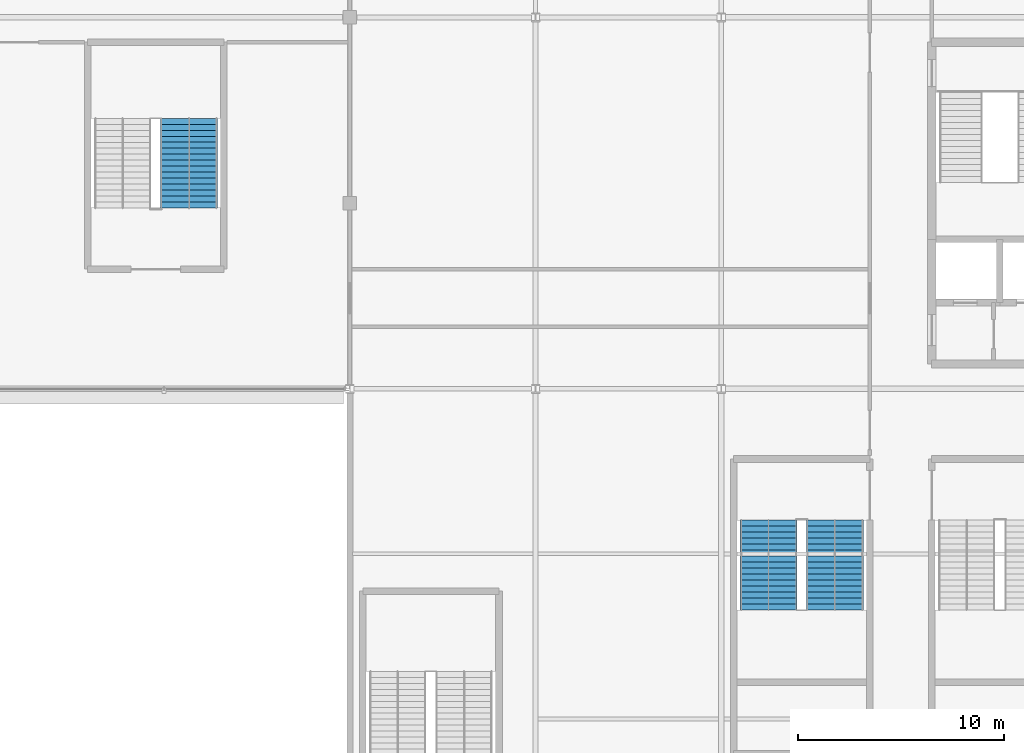
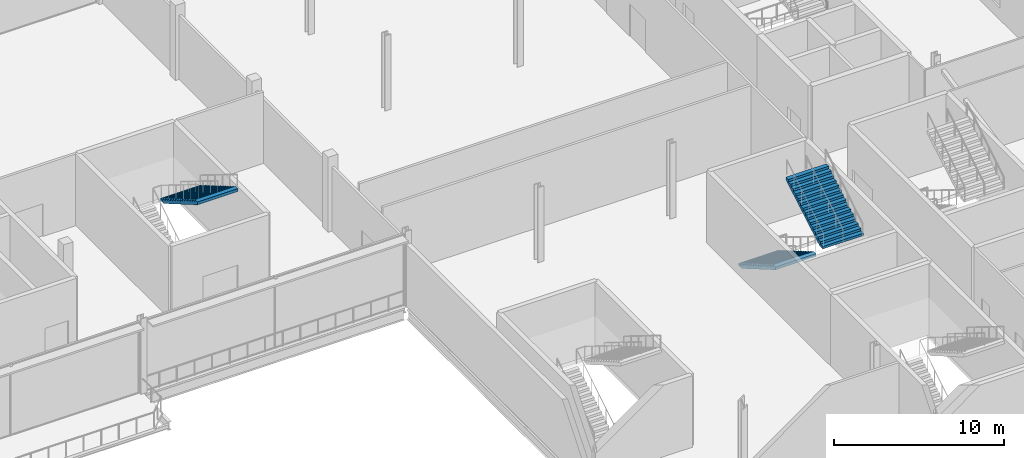
# One storey, part 93 of 113: 3 stair flights, 2 elements without a shape of their own.
"""IFC4 building model written with IfcOpenShell, lengths in metres."""

from ifc_helpers import new_model, si_unit, direction, frame, origin, place, context, subcontext, project, spatial, polygons, material, type_object, element, aggregate, save


model = new_model("IFC4")

# Units and contexts
model_context = context("Model", 3, precision=1e-05, world=origin(), true_north=direction((0.0, 1.0)))
body_context = subcontext(model_context, "Body", "Model", "MODEL_VIEW")
ifc_project = project(units=[si_unit("LENGTHUNIT", "METRE"), si_unit("AREAUNIT", "SQUARE_METRE"), si_unit("VOLUMEUNIT", "CUBIC_METRE"), si_unit("PLANEANGLEUNIT", "RADIAN"), si_unit("MASSUNIT", "GRAM", prefix="KILO")], contexts=[model_context])

# Site, building, storey
site_placement = place(None, origin())
site = spatial("IfcSite", under=ifc_project, at=site_placement, CompositionType="ELEMENT")
building_placement = place(site_placement, origin())
building = spatial("IfcBuilding", under=site, at=building_placement, Name="Kisiwana Market Hall", CompositionType="ELEMENT")
storey_placement = place(building_placement, frame((0.0, 0.0, 6.0)))
storey = spatial("IfcBuildingStorey", under=building, at=storey_placement, Name="L01", CompositionType="ELEMENT", Elevation=6.0)

# Stair, stair flights
ifc_material_1 = material(Name="Concrete C32/40", Category="concrete")
stair_type = type_object("IfcStairType", Name="ST-ESC-5400", PredefinedType="TWO_STRAIGHT_RUN_STAIR", material=ifc_material_1)
stair_1_placement = place(storey_placement, origin())
stair_1 = element("IfcStair", 1, at=stair_1_placement, inside=storey, type_object=stair_type, Name="Escape stair ST-E8-L01", PredefinedType="TWO_STRAIGHT_RUN_STAIR")
ifc_material_2 = material(Name="Concrete C32/40", Category="concrete")
stair_flight_type = type_object("IfcStairFlightType", Name="SF-ESC-5400", PredefinedType="STRAIGHT", material=ifc_material_2)
stair_flight_1_placement = place(storey_placement, frame((173.2900390625, 77.639892578125, 0.0), z_axis=(0.0, 0.0, 1.0), x_axis=(0.0, -1.0, 0.0)))
stair_flight_1 = element("IfcStairFlight", 2, at=stair_flight_1_placement, type_object=stair_flight_type, Name="ST-E8-L01 flight 1", NumberOfRisers=16, NumberOfTreads=15, PredefinedType="STRAIGHT", RiserHeight=0.16875, TreadLength=0.29, context=body_context, shape_type="Tessellation", body=[
    polygons([(0.0, -1.380127, 0.0), (0.0, -0.690125, 0.0), (0.0, -0.000122, 0.0), (0.0, 0.68988, 0.0), (0.0, 1.379883, 0.0), (0.0, -1.380127, 0.168701), (0.0, -0.690125, 0.168701), (0.0, -0.000122, 0.168701), (0.0, 0.68988, 0.168701), (0.0, 1.379883, 0.168701), (0.290039, -1.380127, 0.168701), (0.290039, -0.690125, 0.168701), (0.290039, -0.000122, 0.168701), (0.290039, 0.68988, 0.168701), (0.290039, 1.379883, 0.168701), (0.290039, -1.380127, 0.337402), (0.290039, -0.690125, 0.337402), (0.290039, -0.000122, 0.337402), (0.290039, 0.68988, 0.337402), (0.290039, 1.379883, 0.337402), (0.580078, -1.380127, 0.337402), (0.580078, -0.690125, 0.337402), (0.580078, -0.000122, 0.337402), (0.580078, 0.68988, 0.337402), (0.580078, 1.379883, 0.337402), (0.580078, -1.380127, 0.506348), (0.580078, -0.690125, 0.506348), (0.580078, -0.000122, 0.506348), (0.580078, 0.68988, 0.506348), (0.580078, 1.379883, 0.506348), (0.870117, -1.380127, 0.506348), (0.870117, -0.690125, 0.506348), (0.870117, -0.000122, 0.506348), (0.870117, 0.68988, 0.506348), (0.870117, 1.379883, 0.506348), (0.870117, -1.380127, 0.675049), (0.870117, -0.690125, 0.675049), (0.870117, -0.000122, 0.675049), (0.870117, 0.68988, 0.675049), (0.870117, 1.379883, 0.675049), (1.159912, -1.380127, 0.675049), (1.159912, -0.690125, 0.675049), (1.159912, -0.000122, 0.675049), (1.159912, 0.68988, 0.675049), (1.159912, 1.379883, 0.675049), (1.159912, -1.380127, 0.84375), (1.159912, -0.690125, 0.84375), (1.159912, -0.000122, 0.84375), (1.159912, 0.68988, 0.84375), (1.159912, 1.379883, 0.84375), (1.449951, -1.380127, 0.84375), (1.449951, -0.690125, 0.84375), (1.449951, -0.000122, 0.84375), (1.449951, 0.68988, 0.84375), (1.449951, 1.379883, 0.84375), (1.449951, -1.380127, 1.012451), (1.449951, -0.690125, 1.012451), (1.449951, -0.000122, 1.012451), (1.449951, 0.68988, 1.012451), (1.449951, 1.379883, 1.012451), (1.73999, -1.380127, 1.012451), (1.73999, -0.690125, 1.012451), (1.73999, -0.000122, 1.012451), (1.73999, 0.68988, 1.012451), (1.73999, 1.379883, 1.012451), (1.73999, -1.380127, 1.181152), (1.73999, -0.690125, 1.181152), (1.73999, -0.000122, 1.181152), (1.73999, 0.68988, 1.181152), (1.73999, 1.379883, 1.181152), (2.030029, -1.380127, 1.181152), (2.030029, -0.690125, 1.181152), (2.030029, -0.000122, 1.181152), (2.030029, 0.68988, 1.181152), (2.030029, 1.379883, 1.181152), (2.030029, -1.380127, 1.350098), (2.030029, -0.690125, 1.350098), (2.030029, -0.000122, 1.350098), (2.030029, 0.68988, 1.350098), (2.030029, 1.379883, 1.350098), (2.320068, -1.380127, 1.350098), (2.320068, -0.690125, 1.350098), (2.320068, -0.000122, 1.350098), (2.320068, 0.68988, 1.350098), (2.320068, 1.379883, 1.350098), (2.320068, -1.380127, 1.518799), (2.320068, -0.690125, 1.518799), (2.320068, -0.000122, 1.518799), (2.320068, 0.68988, 1.518799), (2.320068, 1.379883, 1.518799), (2.610107, -1.380127, 1.518799), (2.610107, -0.690125, 1.518799), (2.610107, -0.000122, 1.518799), (2.610107, 0.68988, 1.518799), (2.610107, 1.379883, 1.518799), (2.610107, -1.380127, 1.6875), (2.610107, -0.690125, 1.6875), (2.610107, -0.000122, 1.6875), (2.610107, 0.68988, 1.6875), (2.610107, 1.379883, 1.6875), (2.899902, -1.380127, 1.6875), (2.899902, -0.690125, 1.6875), (2.899902, -0.000122, 1.6875), (2.899902, 0.68988, 1.6875), (2.899902, 1.379883, 1.6875), (2.899902, -1.380127, 1.856201), (2.899902, -0.690125, 1.856201), (2.899902, -0.000122, 1.856201), (2.899902, 0.68988, 1.856201), (2.899902, 1.379883, 1.856201), (3.189941, -1.380127, 1.856201), (3.189941, -0.690125, 1.856201), (3.189941, -0.000122, 1.856201), (3.189941, 0.68988, 1.856201), (3.189941, 1.379883, 1.856201), (3.189941, -1.380127, 2.024902), (3.189941, -0.690125, 2.024902), (3.189941, -0.000122, 2.024902), (3.189941, 0.68988, 2.024902), (3.189941, 1.379883, 2.024902), (3.47998, -1.380127, 2.024902), (3.47998, -0.690125, 2.024902), (3.47998, -0.000122, 2.024902), (3.47998, 0.68988, 2.024902), (3.47998, 1.379883, 2.024902), (3.47998, -1.380127, 2.193848), (3.47998, -0.690125, 2.193848), (3.47998, -0.000122, 2.193848), (3.47998, 0.68988, 2.193848), (3.47998, 1.379883, 2.193848), (3.77002, -1.380127, 2.193848), (3.77002, -0.690125, 2.193848), (3.77002, -0.000122, 2.193848), (3.77002, 0.68988, 2.193848), (3.77002, 1.379883, 2.193848), (3.77002, -1.380127, 2.362549), (3.77002, -0.690125, 2.362549), (3.77002, -0.000122, 2.362549), (3.77002, 0.68988, 2.362549), (3.77002, 1.379883, 2.362549), (4.060059, -1.380127, 2.362549), (4.060059, -0.690125, 2.362549), (4.060059, -0.000122, 2.362549), (4.060059, 0.68988, 2.362549), (4.060059, 1.379883, 2.362549), (4.060059, -1.380127, 2.53125), (4.060059, -0.690125, 2.53125), (4.060059, -0.000122, 2.53125), (4.060059, 0.68988, 2.53125), (4.060059, 1.379883, 2.53125), (4.350098, -1.380127, 2.53125), (4.350098, -0.690125, 2.53125), (4.350098, -0.000122, 2.53125), (4.350098, 0.68988, 2.53125), (4.350098, 1.379883, 2.53125), (4.350098, -1.380127, 2.322998), (4.350098, -0.690125, 2.322998), (4.350098, -0.000122, 2.322998), (4.350098, 0.68988, 2.322998), (4.350098, 1.379883, 2.322998), (0.357666, -1.380127, 0.0), (0.357666, -0.690125, 0.0), (0.357666, -0.000122, 0.0), (0.357666, 0.68988, 0.0), (0.357666, 1.379883, 0.0)], [[[1, 6, 7, 2]], [[2, 7, 8, 3]], [[3, 8, 9, 4]], [[4, 9, 10, 5]], [[6, 11, 12, 7]], [[7, 12, 13, 8]], [[8, 13, 14, 9]], [[9, 14, 15, 10]], [[11, 16, 17, 12]], [[12, 17, 18, 13]], [[13, 18, 19, 14]], [[14, 19, 20, 15]], [[16, 21, 22, 17]], [[17, 22, 23, 18]], [[18, 23, 24, 19]], [[19, 24, 25, 20]], [[21, 26, 27, 22]], [[22, 27, 28, 23]], [[23, 28, 29, 24]], [[24, 29, 30, 25]], [[26, 31, 32, 27]], [[27, 32, 33, 28]], [[28, 33, 34, 29]], [[29, 34, 35, 30]], [[31, 36, 37, 32]], [[32, 37, 38, 33]], [[33, 38, 39, 34]], [[34, 39, 40, 35]], [[36, 41, 42, 37]], [[37, 42, 43, 38]], [[38, 43, 44, 39]], [[39, 44, 45, 40]], [[41, 46, 47, 42]], [[42, 47, 48, 43]], [[43, 48, 49, 44]], [[44, 49, 50, 45]], [[46, 51, 52, 47]], [[47, 52, 53, 48]], [[48, 53, 54, 49]], [[49, 54, 55, 50]], [[51, 56, 57, 52]], [[52, 57, 58, 53]], [[53, 58, 59, 54]], [[54, 59, 60, 55]], [[56, 61, 62, 57]], [[57, 62, 63, 58]], [[58, 63, 64, 59]], [[59, 64, 65, 60]], [[61, 66, 67, 62]], [[62, 67, 68, 63]], [[63, 68, 69, 64]], [[64, 69, 70, 65]], [[66, 71, 72, 67]], [[67, 72, 73, 68]], [[68, 73, 74, 69]], [[69, 74, 75, 70]], [[71, 76, 77, 72]], [[72, 77, 78, 73]], [[73, 78, 79, 74]], [[74, 79, 80, 75]], [[76, 81, 82, 77]], [[77, 82, 83, 78]], [[78, 83, 84, 79]], [[79, 84, 85, 80]], [[81, 86, 87, 82]], [[82, 87, 88, 83]], [[83, 88, 89, 84]], [[84, 89, 90, 85]], [[86, 91, 92, 87]], [[87, 92, 93, 88]], [[88, 93, 94, 89]], [[89, 94, 95, 90]], [[91, 96, 97, 92]], [[92, 97, 98, 93]], [[93, 98, 99, 94]], [[94, 99, 100, 95]], [[96, 101, 102, 97]], [[97, 102, 103, 98]], [[98, 103, 104, 99]], [[99, 104, 105, 100]], [[101, 106, 107, 102]], [[102, 107, 108, 103]], [[103, 108, 109, 104]], [[104, 109, 110, 105]], [[106, 111, 112, 107]], [[107, 112, 113, 108]], [[108, 113, 114, 109]], [[109, 114, 115, 110]], [[111, 116, 117, 112]], [[112, 117, 118, 113]], [[113, 118, 119, 114]], [[114, 119, 120, 115]], [[116, 121, 122, 117]], [[117, 122, 123, 118]], [[118, 123, 124, 119]], [[119, 124, 125, 120]], [[121, 126, 127, 122]], [[122, 127, 128, 123]], [[123, 128, 129, 124]], [[124, 129, 130, 125]], [[126, 131, 132, 127]], [[127, 132, 133, 128]], [[128, 133, 134, 129]], [[129, 134, 135, 130]], [[131, 136, 137, 132]], [[132, 137, 138, 133]], [[133, 138, 139, 134]], [[134, 139, 140, 135]], [[136, 141, 142, 137]], [[137, 142, 143, 138]], [[138, 143, 144, 139]], [[139, 144, 145, 140]], [[141, 146, 147, 142]], [[142, 147, 148, 143]], [[143, 148, 149, 144]], [[144, 149, 150, 145]], [[146, 151, 152, 147]], [[147, 152, 153, 148]], [[148, 153, 154, 149]], [[149, 154, 155, 150]], [[151, 156, 157, 152]], [[152, 157, 158, 153]], [[153, 158, 159, 154]], [[154, 159, 160, 155]], [[156, 161, 162, 157]], [[157, 162, 163, 158]], [[158, 163, 164, 159]], [[159, 164, 165, 160]], [[161, 1, 2, 162]], [[162, 2, 3, 163]], [[163, 3, 4, 164]], [[164, 4, 5, 165]], [[161, 156, 151, 146, 141, 136, 131, 126, 121, 116, 111, 106, 101, 96, 91, 86, 81, 76, 71, 66, 61, 56, 51, 46, 41, 36, 31, 26, 21, 16, 11, 6, 1]], [[5, 10, 15, 20, 25, 30, 35, 40, 45, 50, 55, 60, 65, 70, 75, 80, 85, 90, 95, 100, 105, 110, 115, 120, 125, 130, 135, 140, 145, 150, 155, 160, 165]]], closed=True),
])
stair_flight_2_placement = place(storey_placement, frame((176.510009765625, 73.2900390625, 2.699951171875), z_axis=(0.0, 0.0, 1.0), x_axis=(0.0, 1.0, 0.0)))
stair_flight_2 = element("IfcStairFlight", 3, at=stair_flight_2_placement, type_object=stair_flight_type, Name="ST-E8-L01 flight 2", NumberOfRisers=16, NumberOfTreads=15, PredefinedType="STRAIGHT", RiserHeight=0.16875, TreadLength=0.29, context=body_context, shape_type="Tessellation", body=[
    polygons([(0.0, -1.380127, 0.0), (0.0, -0.690125, 0.0), (0.0, -0.000122, 0.0), (0.0, 0.68988, 0.0), (0.0, 1.379883, 0.0), (0.0, -1.380127, 0.168701), (0.0, -0.690125, 0.168701), (0.0, -0.000122, 0.168701), (0.0, 0.68988, 0.168701), (0.0, 1.379883, 0.168701), (0.290039, -1.380127, 0.168701), (0.290039, -0.690125, 0.168701), (0.290039, -0.000122, 0.168701), (0.290039, 0.68988, 0.168701), (0.290039, 1.379883, 0.168701), (0.290039, -1.380127, 0.337402), (0.290039, -0.690125, 0.337402), (0.290039, -0.000122, 0.337402), (0.290039, 0.68988, 0.337402), (0.290039, 1.379883, 0.337402), (0.580078, -1.380127, 0.337402), (0.580078, -0.690125, 0.337402), (0.580078, -0.000122, 0.337402), (0.580078, 0.68988, 0.337402), (0.580078, 1.379883, 0.337402), (0.580078, -1.380127, 0.506348), (0.580078, -0.690125, 0.506348), (0.580078, -0.000122, 0.506348), (0.580078, 0.68988, 0.506348), (0.580078, 1.379883, 0.506348), (0.870117, -1.380127, 0.506348), (0.870117, -0.690125, 0.506348), (0.870117, -0.000122, 0.506348), (0.870117, 0.68988, 0.506348), (0.870117, 1.379883, 0.506348), (0.870117, -1.380127, 0.675049), (0.870117, -0.690125, 0.675049), (0.870117, -0.000122, 0.675049), (0.870117, 0.68988, 0.675049), (0.870117, 1.379883, 0.675049), (1.159912, -1.380127, 0.675049), (1.159912, -0.690125, 0.675049), (1.159912, -0.000122, 0.675049), (1.159912, 0.68988, 0.675049), (1.159912, 1.379883, 0.675049), (1.159912, -1.380127, 0.84375), (1.159912, -0.690125, 0.84375), (1.159912, -0.000122, 0.84375), (1.159912, 0.68988, 0.84375), (1.159912, 1.379883, 0.84375), (1.449951, -1.380127, 0.84375), (1.449951, -0.690125, 0.84375), (1.449951, -0.000122, 0.84375), (1.449951, 0.68988, 0.84375), (1.449951, 1.379883, 0.84375), (1.449951, -1.380127, 1.012451), (1.449951, -0.690125, 1.012451), (1.449951, -0.000122, 1.012451), (1.449951, 0.68988, 1.012451), (1.449951, 1.379883, 1.012451), (1.73999, -1.380127, 1.012451), (1.73999, -0.690125, 1.012451), (1.73999, -0.000122, 1.012451), (1.73999, 0.68988, 1.012451), (1.73999, 1.379883, 1.012451), (1.73999, -1.380127, 1.181152), (1.73999, -0.690125, 1.181152), (1.73999, -0.000122, 1.181152), (1.73999, 0.68988, 1.181152), (1.73999, 1.379883, 1.181152), (2.030029, -1.380127, 1.181152), (2.030029, -0.690125, 1.181152), (2.030029, -0.000122, 1.181152), (2.030029, 0.68988, 1.181152), (2.030029, 1.379883, 1.181152), (2.030029, -1.380127, 1.350098), (2.030029, -0.690125, 1.350098), (2.030029, -0.000122, 1.350098), (2.030029, 0.68988, 1.350098), (2.030029, 1.379883, 1.350098), (2.320068, -1.380127, 1.350098), (2.320068, -0.690125, 1.350098), (2.320068, -0.000122, 1.350098), (2.320068, 0.68988, 1.350098), (2.320068, 1.379883, 1.350098), (2.320068, -1.380127, 1.518799), (2.320068, -0.690125, 1.518799), (2.320068, -0.000122, 1.518799), (2.320068, 0.68988, 1.518799), (2.320068, 1.379883, 1.518799), (2.610107, -1.380127, 1.518799), (2.610107, -0.690125, 1.518799), (2.610107, -0.000122, 1.518799), (2.610107, 0.68988, 1.518799), (2.610107, 1.379883, 1.518799), (2.610107, -1.380127, 1.6875), (2.610107, -0.690125, 1.6875), (2.610107, -0.000122, 1.6875), (2.610107, 0.68988, 1.6875), (2.610107, 1.379883, 1.6875), (2.899902, -1.380127, 1.6875), (2.899902, -0.690125, 1.6875), (2.899902, -0.000122, 1.6875), (2.899902, 0.68988, 1.6875), (2.899902, 1.379883, 1.6875), (2.899902, -1.380127, 1.856201), (2.899902, -0.690125, 1.856201), (2.899902, -0.000122, 1.856201), (2.899902, 0.68988, 1.856201), (2.899902, 1.379883, 1.856201), (3.189941, -1.380127, 1.856201), (3.189941, -0.690125, 1.856201), (3.189941, -0.000122, 1.856201), (3.189941, 0.68988, 1.856201), (3.189941, 1.379883, 1.856201), (3.189941, -1.380127, 2.024902), (3.189941, -0.690125, 2.024902), (3.189941, -0.000122, 2.024902), (3.189941, 0.68988, 2.024902), (3.189941, 1.379883, 2.024902), (3.47998, -1.380127, 2.024902), (3.47998, -0.690125, 2.024902), (3.47998, -0.000122, 2.024902), (3.47998, 0.68988, 2.024902), (3.47998, 1.379883, 2.024902), (3.47998, -1.380127, 2.193848), (3.47998, -0.690125, 2.193848), (3.47998, -0.000122, 2.193848), (3.47998, 0.68988, 2.193848), (3.47998, 1.379883, 2.193848), (3.77002, -1.380127, 2.193848), (3.77002, -0.690125, 2.193848), (3.77002, -0.000122, 2.193848), (3.77002, 0.68988, 2.193848), (3.77002, 1.379883, 2.193848), (3.77002, -1.380127, 2.362549), (3.77002, -0.690125, 2.362549), (3.77002, -0.000122, 2.362549), (3.77002, 0.68988, 2.362549), (3.77002, 1.379883, 2.362549), (4.060059, -1.380127, 2.362549), (4.060059, -0.690125, 2.362549), (4.060059, -0.000122, 2.362549), (4.060059, 0.68988, 2.362549), (4.060059, 1.379883, 2.362549), (4.060059, -1.380127, 2.53125), (4.060059, -0.690125, 2.53125), (4.060059, -0.000122, 2.53125), (4.060059, 0.68988, 2.53125), (4.060059, 1.379883, 2.53125), (4.350098, -1.380127, 2.53125), (4.350098, -0.690125, 2.53125), (4.350098, -0.000122, 2.53125), (4.350098, 0.68988, 2.53125), (4.350098, 1.379883, 2.53125), (4.350098, -1.380127, 2.322998), (4.350098, -0.690125, 2.322998), (4.350098, -0.000122, 2.322998), (4.350098, 0.68988, 2.322998), (4.350098, 1.379883, 2.322998), (0.357666, -1.380127, 0.0), (0.357666, -0.690125, 0.0), (0.357666, -0.000122, 0.0), (0.357666, 0.68988, 0.0), (0.357666, 1.379883, 0.0)], [[[1, 6, 7, 2]], [[2, 7, 8, 3]], [[3, 8, 9, 4]], [[4, 9, 10, 5]], [[6, 11, 12, 7]], [[7, 12, 13, 8]], [[8, 13, 14, 9]], [[9, 14, 15, 10]], [[11, 16, 17, 12]], [[12, 17, 18, 13]], [[13, 18, 19, 14]], [[14, 19, 20, 15]], [[16, 21, 22, 17]], [[17, 22, 23, 18]], [[18, 23, 24, 19]], [[19, 24, 25, 20]], [[21, 26, 27, 22]], [[22, 27, 28, 23]], [[23, 28, 29, 24]], [[24, 29, 30, 25]], [[26, 31, 32, 27]], [[27, 32, 33, 28]], [[28, 33, 34, 29]], [[29, 34, 35, 30]], [[31, 36, 37, 32]], [[32, 37, 38, 33]], [[33, 38, 39, 34]], [[34, 39, 40, 35]], [[36, 41, 42, 37]], [[37, 42, 43, 38]], [[38, 43, 44, 39]], [[39, 44, 45, 40]], [[41, 46, 47, 42]], [[42, 47, 48, 43]], [[43, 48, 49, 44]], [[44, 49, 50, 45]], [[46, 51, 52, 47]], [[47, 52, 53, 48]], [[48, 53, 54, 49]], [[49, 54, 55, 50]], [[51, 56, 57, 52]], [[52, 57, 58, 53]], [[53, 58, 59, 54]], [[54, 59, 60, 55]], [[56, 61, 62, 57]], [[57, 62, 63, 58]], [[58, 63, 64, 59]], [[59, 64, 65, 60]], [[61, 66, 67, 62]], [[62, 67, 68, 63]], [[63, 68, 69, 64]], [[64, 69, 70, 65]], [[66, 71, 72, 67]], [[67, 72, 73, 68]], [[68, 73, 74, 69]], [[69, 74, 75, 70]], [[71, 76, 77, 72]], [[72, 77, 78, 73]], [[73, 78, 79, 74]], [[74, 79, 80, 75]], [[76, 81, 82, 77]], [[77, 82, 83, 78]], [[78, 83, 84, 79]], [[79, 84, 85, 80]], [[81, 86, 87, 82]], [[82, 87, 88, 83]], [[83, 88, 89, 84]], [[84, 89, 90, 85]], [[86, 91, 92, 87]], [[87, 92, 93, 88]], [[88, 93, 94, 89]], [[89, 94, 95, 90]], [[91, 96, 97, 92]], [[92, 97, 98, 93]], [[93, 98, 99, 94]], [[94, 99, 100, 95]], [[96, 101, 102, 97]], [[97, 102, 103, 98]], [[98, 103, 104, 99]], [[99, 104, 105, 100]], [[101, 106, 107, 102]], [[102, 107, 108, 103]], [[103, 108, 109, 104]], [[104, 109, 110, 105]], [[106, 111, 112, 107]], [[107, 112, 113, 108]], [[108, 113, 114, 109]], [[109, 114, 115, 110]], [[111, 116, 117, 112]], [[112, 117, 118, 113]], [[113, 118, 119, 114]], [[114, 119, 120, 115]], [[116, 121, 122, 117]], [[117, 122, 123, 118]], [[118, 123, 124, 119]], [[119, 124, 125, 120]], [[121, 126, 127, 122]], [[122, 127, 128, 123]], [[123, 128, 129, 124]], [[124, 129, 130, 125]], [[126, 131, 132, 127]], [[127, 132, 133, 128]], [[128, 133, 134, 129]], [[129, 134, 135, 130]], [[131, 136, 137, 132]], [[132, 137, 138, 133]], [[133, 138, 139, 134]], [[134, 139, 140, 135]], [[136, 141, 142, 137]], [[137, 142, 143, 138]], [[138, 143, 144, 139]], [[139, 144, 145, 140]], [[141, 146, 147, 142]], [[142, 147, 148, 143]], [[143, 148, 149, 144]], [[144, 149, 150, 145]], [[146, 151, 152, 147]], [[147, 152, 153, 148]], [[148, 153, 154, 149]], [[149, 154, 155, 150]], [[151, 156, 157, 152]], [[152, 157, 158, 153]], [[153, 158, 159, 154]], [[154, 159, 160, 155]], [[156, 161, 162, 157]], [[157, 162, 163, 158]], [[158, 163, 164, 159]], [[159, 164, 165, 160]], [[161, 1, 2, 162]], [[162, 2, 3, 163]], [[163, 3, 4, 164]], [[164, 4, 5, 165]], [[161, 156, 151, 146, 141, 136, 131, 126, 121, 116, 111, 106, 101, 96, 91, 86, 81, 76, 71, 66, 61, 56, 51, 46, 41, 36, 31, 26, 21, 16, 11, 6, 1]], [[5, 10, 15, 20, 25, 30, 35, 40, 45, 50, 55, 60, 65, 70, 75, 80, 85, 90, 95, 100, 105, 110, 115, 120, 125, 130, 135, 140, 145, 150, 155, 160, 165]]], closed=True),
])
aggregate(stair_1, [stair_flight_1, stair_flight_2])

# Stair, stair flight
stair_2_placement = place(storey_placement, origin())
stair_2 = element("IfcStair", 4, at=stair_2_placement, inside=storey, type_object=stair_type, Name="Escape stair ST-N6-L01", PredefinedType="TWO_STRAIGHT_RUN_STAIR")
stair_flight_3_placement = place(storey_placement, frame((145.2099609375, 97.110107421875, 2.699951171875), z_axis=(0.0, 0.0, 1.0), x_axis=(0.0, -1.0, 0.0)))
stair_flight_3 = element("IfcStairFlight", 5, at=stair_flight_3_placement, type_object=stair_flight_type, Name="ST-N6-L01 flight 2", NumberOfRisers=16, NumberOfTreads=15, PredefinedType="STRAIGHT", RiserHeight=0.16875, TreadLength=0.29, context=body_context, shape_type="Tessellation", body=[
    polygons([(0.0, -1.380127, 0.0), (0.0, -0.690125, 0.0), (0.0, -0.000122, 0.0), (0.0, 0.68988, 0.0), (0.0, 1.379883, 0.0), (0.0, -1.380127, 0.168701), (0.0, -0.690125, 0.168701), (0.0, -0.000122, 0.168701), (0.0, 0.68988, 0.168701), (0.0, 1.379883, 0.168701), (0.290039, -1.380127, 0.168701), (0.290039, -0.690125, 0.168701), (0.290039, -0.000122, 0.168701), (0.290039, 0.68988, 0.168701), (0.290039, 1.379883, 0.168701), (0.290039, -1.380127, 0.337402), (0.290039, -0.690125, 0.337402), (0.290039, -0.000122, 0.337402), (0.290039, 0.68988, 0.337402), (0.290039, 1.379883, 0.337402), (0.580078, -1.380127, 0.337402), (0.580078, -0.690125, 0.337402), (0.580078, -0.000122, 0.337402), (0.580078, 0.68988, 0.337402), (0.580078, 1.379883, 0.337402), (0.580078, -1.380127, 0.506348), (0.580078, -0.690125, 0.506348), (0.580078, -0.000122, 0.506348), (0.580078, 0.68988, 0.506348), (0.580078, 1.379883, 0.506348), (0.870117, -1.380127, 0.506348), (0.870117, -0.690125, 0.506348), (0.870117, -0.000122, 0.506348), (0.870117, 0.68988, 0.506348), (0.870117, 1.379883, 0.506348), (0.870117, -1.380127, 0.675049), (0.870117, -0.690125, 0.675049), (0.870117, -0.000122, 0.675049), (0.870117, 0.68988, 0.675049), (0.870117, 1.379883, 0.675049), (1.159912, -1.380127, 0.675049), (1.159912, -0.690125, 0.675049), (1.159912, -0.000122, 0.675049), (1.159912, 0.68988, 0.675049), (1.159912, 1.379883, 0.675049), (1.159912, -1.380127, 0.84375), (1.159912, -0.690125, 0.84375), (1.159912, -0.000122, 0.84375), (1.159912, 0.68988, 0.84375), (1.159912, 1.379883, 0.84375), (1.449951, -1.380127, 0.84375), (1.449951, -0.690125, 0.84375), (1.449951, -0.000122, 0.84375), (1.449951, 0.68988, 0.84375), (1.449951, 1.379883, 0.84375), (1.449951, -1.380127, 1.012451), (1.449951, -0.690125, 1.012451), (1.449951, -0.000122, 1.012451), (1.449951, 0.68988, 1.012451), (1.449951, 1.379883, 1.012451), (1.73999, -1.380127, 1.012451), (1.73999, -0.690125, 1.012451), (1.73999, -0.000122, 1.012451), (1.73999, 0.68988, 1.012451), (1.73999, 1.379883, 1.012451), (1.73999, -1.380127, 1.181152), (1.73999, -0.690125, 1.181152), (1.73999, -0.000122, 1.181152), (1.73999, 0.68988, 1.181152), (1.73999, 1.379883, 1.181152), (2.030029, -1.380127, 1.181152), (2.030029, -0.690125, 1.181152), (2.030029, -0.000122, 1.181152), (2.030029, 0.68988, 1.181152), (2.030029, 1.379883, 1.181152), (2.030029, -1.380127, 1.350098), (2.030029, -0.690125, 1.350098), (2.030029, -0.000122, 1.350098), (2.030029, 0.68988, 1.350098), (2.030029, 1.379883, 1.350098), (2.320068, -1.380127, 1.350098), (2.320068, -0.690125, 1.350098), (2.320068, -0.000122, 1.350098), (2.320068, 0.68988, 1.350098), (2.320068, 1.379883, 1.350098), (2.320068, -1.380127, 1.518799), (2.320068, -0.690125, 1.518799), (2.320068, -0.000122, 1.518799), (2.320068, 0.68988, 1.518799), (2.320068, 1.379883, 1.518799), (2.610107, -1.380127, 1.518799), (2.610107, -0.690125, 1.518799), (2.610107, -0.000122, 1.518799), (2.610107, 0.68988, 1.518799), (2.610107, 1.379883, 1.518799), (2.610107, -1.380127, 1.6875), (2.610107, -0.690125, 1.6875), (2.610107, -0.000122, 1.6875), (2.610107, 0.68988, 1.6875), (2.610107, 1.379883, 1.6875), (2.899902, -1.380127, 1.6875), (2.899902, -0.690125, 1.6875), (2.899902, -0.000122, 1.6875), (2.899902, 0.68988, 1.6875), (2.899902, 1.379883, 1.6875), (2.899902, -1.380127, 1.856201), (2.899902, -0.690125, 1.856201), (2.899902, -0.000122, 1.856201), (2.899902, 0.68988, 1.856201), (2.899902, 1.379883, 1.856201), (3.189941, -1.380127, 1.856201), (3.189941, -0.690125, 1.856201), (3.189941, -0.000122, 1.856201), (3.189941, 0.68988, 1.856201), (3.189941, 1.379883, 1.856201), (3.189941, -1.380127, 2.024902), (3.189941, -0.690125, 2.024902), (3.189941, -0.000122, 2.024902), (3.189941, 0.68988, 2.024902), (3.189941, 1.379883, 2.024902), (3.47998, -1.380127, 2.024902), (3.47998, -0.690125, 2.024902), (3.47998, -0.000122, 2.024902), (3.47998, 0.68988, 2.024902), (3.47998, 1.379883, 2.024902), (3.47998, -1.380127, 2.193848), (3.47998, -0.690125, 2.193848), (3.47998, -0.000122, 2.193848), (3.47998, 0.68988, 2.193848), (3.47998, 1.379883, 2.193848), (3.77002, -1.380127, 2.193848), (3.77002, -0.690125, 2.193848), (3.77002, -0.000122, 2.193848), (3.77002, 0.68988, 2.193848), (3.77002, 1.379883, 2.193848), (3.77002, -1.380127, 2.362549), (3.77002, -0.690125, 2.362549), (3.77002, -0.000122, 2.362549), (3.77002, 0.68988, 2.362549), (3.77002, 1.379883, 2.362549), (4.060059, -1.380127, 2.362549), (4.060059, -0.690125, 2.362549), (4.060059, -0.000122, 2.362549), (4.060059, 0.68988, 2.362549), (4.060059, 1.379883, 2.362549), (4.060059, -1.380127, 2.53125), (4.060059, -0.690125, 2.53125), (4.060059, -0.000122, 2.53125), (4.060059, 0.68988, 2.53125), (4.060059, 1.379883, 2.53125), (4.350098, -1.380127, 2.53125), (4.350098, -0.690125, 2.53125), (4.350098, -0.000122, 2.53125), (4.350098, 0.68988, 2.53125), (4.350098, 1.379883, 2.53125), (4.350098, -1.380127, 2.322998), (4.350098, -0.690125, 2.322998), (4.350098, -0.000122, 2.322998), (4.350098, 0.68988, 2.322998), (4.350098, 1.379883, 2.322998), (0.357666, -1.380127, 0.0), (0.357666, -0.690125, 0.0), (0.357666, -0.000122, 0.0), (0.357666, 0.68988, 0.0), (0.357666, 1.379883, 0.0)], [[[1, 6, 7, 2]], [[2, 7, 8, 3]], [[3, 8, 9, 4]], [[4, 9, 10, 5]], [[6, 11, 12, 7]], [[7, 12, 13, 8]], [[8, 13, 14, 9]], [[9, 14, 15, 10]], [[11, 16, 17, 12]], [[12, 17, 18, 13]], [[13, 18, 19, 14]], [[14, 19, 20, 15]], [[16, 21, 22, 17]], [[17, 22, 23, 18]], [[18, 23, 24, 19]], [[19, 24, 25, 20]], [[21, 26, 27, 22]], [[22, 27, 28, 23]], [[23, 28, 29, 24]], [[24, 29, 30, 25]], [[26, 31, 32, 27]], [[27, 32, 33, 28]], [[28, 33, 34, 29]], [[29, 34, 35, 30]], [[31, 36, 37, 32]], [[32, 37, 38, 33]], [[33, 38, 39, 34]], [[34, 39, 40, 35]], [[36, 41, 42, 37]], [[37, 42, 43, 38]], [[38, 43, 44, 39]], [[39, 44, 45, 40]], [[41, 46, 47, 42]], [[42, 47, 48, 43]], [[43, 48, 49, 44]], [[44, 49, 50, 45]], [[46, 51, 52, 47]], [[47, 52, 53, 48]], [[48, 53, 54, 49]], [[49, 54, 55, 50]], [[51, 56, 57, 52]], [[52, 57, 58, 53]], [[53, 58, 59, 54]], [[54, 59, 60, 55]], [[56, 61, 62, 57]], [[57, 62, 63, 58]], [[58, 63, 64, 59]], [[59, 64, 65, 60]], [[61, 66, 67, 62]], [[62, 67, 68, 63]], [[63, 68, 69, 64]], [[64, 69, 70, 65]], [[66, 71, 72, 67]], [[67, 72, 73, 68]], [[68, 73, 74, 69]], [[69, 74, 75, 70]], [[71, 76, 77, 72]], [[72, 77, 78, 73]], [[73, 78, 79, 74]], [[74, 79, 80, 75]], [[76, 81, 82, 77]], [[77, 82, 83, 78]], [[78, 83, 84, 79]], [[79, 84, 85, 80]], [[81, 86, 87, 82]], [[82, 87, 88, 83]], [[83, 88, 89, 84]], [[84, 89, 90, 85]], [[86, 91, 92, 87]], [[87, 92, 93, 88]], [[88, 93, 94, 89]], [[89, 94, 95, 90]], [[91, 96, 97, 92]], [[92, 97, 98, 93]], [[93, 98, 99, 94]], [[94, 99, 100, 95]], [[96, 101, 102, 97]], [[97, 102, 103, 98]], [[98, 103, 104, 99]], [[99, 104, 105, 100]], [[101, 106, 107, 102]], [[102, 107, 108, 103]], [[103, 108, 109, 104]], [[104, 109, 110, 105]], [[106, 111, 112, 107]], [[107, 112, 113, 108]], [[108, 113, 114, 109]], [[109, 114, 115, 110]], [[111, 116, 117, 112]], [[112, 117, 118, 113]], [[113, 118, 119, 114]], [[114, 119, 120, 115]], [[116, 121, 122, 117]], [[117, 122, 123, 118]], [[118, 123, 124, 119]], [[119, 124, 125, 120]], [[121, 126, 127, 122]], [[122, 127, 128, 123]], [[123, 128, 129, 124]], [[124, 129, 130, 125]], [[126, 131, 132, 127]], [[127, 132, 133, 128]], [[128, 133, 134, 129]], [[129, 134, 135, 130]], [[131, 136, 137, 132]], [[132, 137, 138, 133]], [[133, 138, 139, 134]], [[134, 139, 140, 135]], [[136, 141, 142, 137]], [[137, 142, 143, 138]], [[138, 143, 144, 139]], [[139, 144, 145, 140]], [[141, 146, 147, 142]], [[142, 147, 148, 143]], [[143, 148, 149, 144]], [[144, 149, 150, 145]], [[146, 151, 152, 147]], [[147, 152, 153, 148]], [[148, 153, 154, 149]], [[149, 154, 155, 150]], [[151, 156, 157, 152]], [[152, 157, 158, 153]], [[153, 158, 159, 154]], [[154, 159, 160, 155]], [[156, 161, 162, 157]], [[157, 162, 163, 158]], [[158, 163, 164, 159]], [[159, 164, 165, 160]], [[161, 1, 2, 162]], [[162, 2, 3, 163]], [[163, 3, 4, 164]], [[164, 4, 5, 165]], [[161, 156, 151, 146, 141, 136, 131, 126, 121, 116, 111, 106, 101, 96, 91, 86, 81, 76, 71, 66, 61, 56, 51, 46, 41, 36, 31, 26, 21, 16, 11, 6, 1]], [[5, 10, 15, 20, 25, 30, 35, 40, 45, 50, 55, 60, 65, 70, 75, 80, 85, 90, 95, 100, 105, 110, 115, 120, 125, 130, 135, 140, 145, 150, 155, 160, 165]]], closed=True),
])
aggregate(stair_2, [stair_flight_3])

save(model, "model.ifc")
